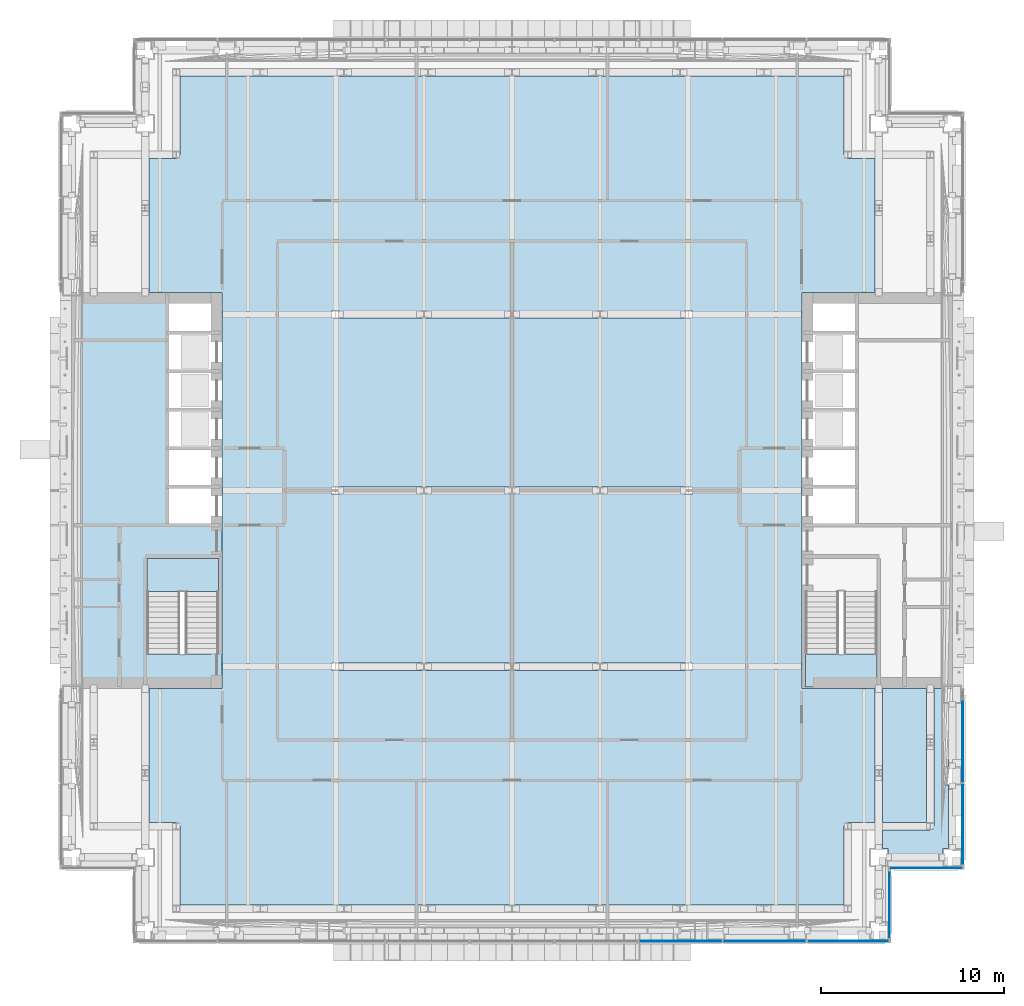
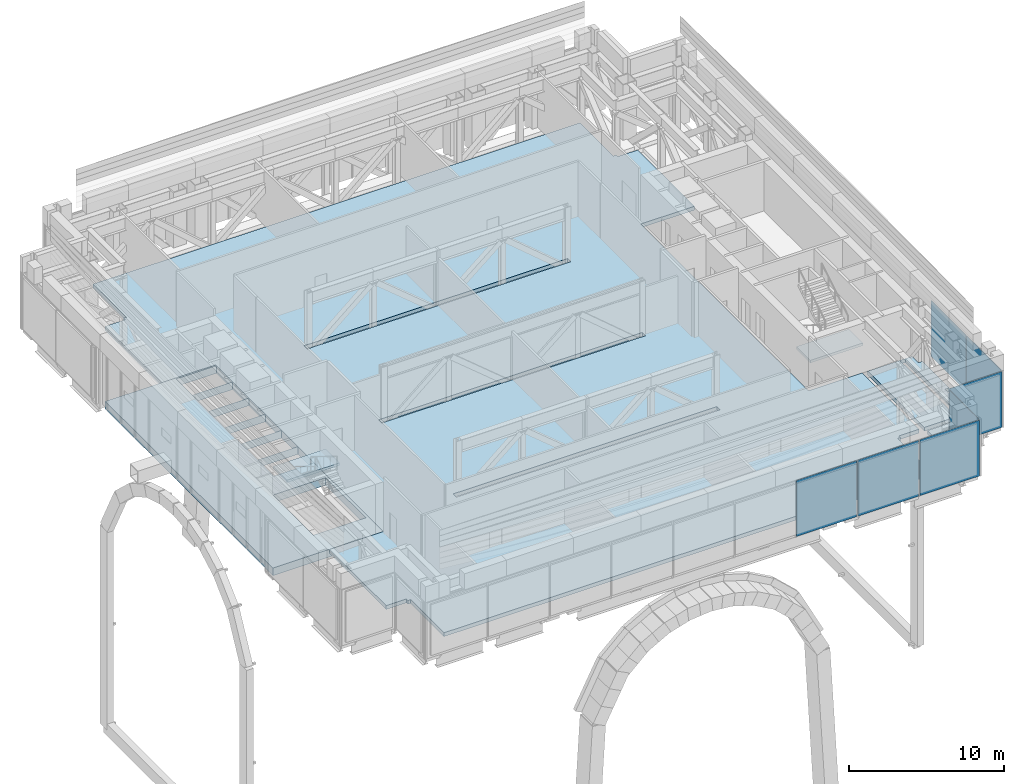
# One storey, part 13 of 39: 7 plates, 5 slabs, 6 elements without a shape of their own.
"""IFC4 building model written with IfcOpenShell, lengths in metres."""

from ifc_helpers import new_model, si_unit, direction, frame, origin, origin_2d, place, context, subcontext, project, spatial, polyline, rectangle, outline, extrude, material, layer, layer_set, type_object, element, aggregate, save


model = new_model("IFC4")

# Units and contexts
model_context = context("Model", 3, precision=1e-05, world=origin(), true_north=direction((0.0, 1.0)))
body_context = subcontext(model_context, "Body", "Model", "MODEL_VIEW")
ifc_project = project(units=[si_unit("LENGTHUNIT", "METRE"), si_unit("AREAUNIT", "SQUARE_METRE"), si_unit("VOLUMEUNIT", "CUBIC_METRE"), si_unit("PLANEANGLEUNIT", "RADIAN"), si_unit("MASSUNIT", "GRAM", prefix="KILO")], contexts=[model_context])

# Site, building, storey
site_placement = place(None, origin())
site = spatial("IfcSite", under=ifc_project, at=site_placement, CompositionType="ELEMENT")
building_placement = place(site_placement, origin())
building = spatial("IfcBuilding", under=site, at=building_placement, Name="Cobrizo Arcos Hotel Tower", CompositionType="ELEMENT")
storey_placement = place(building_placement, frame((0.0, 0.0, 84.5)))
storey = spatial("IfcBuildingStorey", under=building, at=storey_placement, Name="L20", CompositionType="ELEMENT", Elevation=84.5)

# Curtain wall, plates
ifc_material_1 = material(Name="Aluminium 6063-T6 anodised bronze", Category="aluminium")
curtain_wall_type = type_object("IfcCurtainWallType", Name="CW-D plant louvre wall", PredefinedType="NOTDEFINED", material=ifc_material_1)
curtain_wall_1_placement = place(storey_placement, origin())
curtain_wall_1 = element("IfcCurtainWall", 1, at=curtain_wall_1_placement, inside=storey, type_object=curtain_wall_type, Name="CW-D L20 S face", PredefinedType="NOTDEFINED")
ifc_material_2 = material(Name="Aluminium composite panel pale metal", Category="aluminium")
ifc_layer_1 = layer(ifc_material_2, 0.06005859375)
ifc_layer_set_1 = layer_set([ifc_layer_1], Name="CW-D spandrel panel")
plate_type = type_object("IfcPlateType", Name="CW-D spandrel panel", PredefinedType="CURTAIN_PANEL", material=ifc_layer_set_1)
plate_1_placement = place(storey_placement, frame((9.177734375, -24.574951171875, 0.0), z_axis=(0.0, 0.0, 1.0), x_axis=(1.0, 0.0, 0.0)))
plate_1 = element("IfcPlate", 2, at=plate_1_placement, type_object=plate_type, Name="CW-D insulated panel 819", PredefinedType="CURTAIN_PANEL", context=body_context, shape_type="SweptSolid", body=[
    extrude(rectangle(XDim=4.48876953125, YDim=0.0400390625, at=origin_2d()), origin(), (0.0, 0.0, 1.0), 4.39990234375),
])
plate_2_placement = place(storey_placement, frame((13.7666015625, -24.574951171875, 0.0), z_axis=(0.0, 0.0, 1.0), x_axis=(1.0, 0.0, 0.0)))
plate_2 = element("IfcPlate", 3, at=plate_2_placement, type_object=plate_type, Name="CW-D insulated panel 820", PredefinedType="CURTAIN_PANEL", context=body_context, shape_type="SweptSolid", body=[
    extrude(rectangle(XDim=4.48876953125, YDim=0.0400390625, at=origin_2d()), origin(), (0.0, 0.0, 1.0), 4.39990234375),
])
plate_3_placement = place(storey_placement, frame((18.33056640625, -24.574951171875, 0.0), z_axis=(0.0, 0.0, 1.0), x_axis=(1.0, 0.0, 0.0)))
plate_3 = element("IfcPlate", 4, at=plate_3_placement, type_object=plate_type, Name="CW-D insulated panel 821", PredefinedType="CURTAIN_PANEL", context=body_context, shape_type="SweptSolid", body=[
    extrude(rectangle(XDim=4.43896484375, YDim=0.0400390625, at=origin_2d()), origin(), (0.0, 0.0, 1.0), 4.39990234375),
])
aggregate(curtain_wall_1, [plate_1, plate_2, plate_3])

# Curtain wall, plate
curtain_wall_2_placement = place(storey_placement, origin())
curtain_wall_2 = element("IfcCurtainWall", 5, at=curtain_wall_2_placement, inside=storey, type_object=curtain_wall_type, Name="CW-D L20 E face", PredefinedType="NOTDEFINED")
plate_4_placement = place(storey_placement, frame((20.574951171875, -22.574951171875, 0.0), z_axis=(0.0, 0.0, 1.0), x_axis=(0.0, 1.0, 0.0)))
plate_4 = element("IfcPlate", 6, at=plate_4_placement, type_object=plate_type, Name="CW-D insulated panel 822", PredefinedType="CURTAIN_PANEL", context=body_context, shape_type="SweptSolid", body=[
    extrude(rectangle(XDim=3.64990234375, YDim=0.0400390625, at=origin_2d()), origin(), (0.0, 0.0, 1.0), 4.39990234375),
])
aggregate(curtain_wall_2, [plate_4])

curtain_wall_3_placement = place(storey_placement, origin())
curtain_wall_3 = element("IfcCurtainWall", 7, at=curtain_wall_3_placement, inside=storey, type_object=curtain_wall_type, Name="CW-D L20 S face", PredefinedType="NOTDEFINED")
plate_5_placement = place(storey_placement, frame((22.574951171875, -20.574951171875, 0.0), z_axis=(0.0, 0.0, 1.0), x_axis=(1.0, 0.0, 0.0)))
plate_5 = element("IfcPlate", 8, at=plate_5_placement, type_object=plate_type, Name="CW-D insulated panel 823", PredefinedType="CURTAIN_PANEL", context=body_context, shape_type="SweptSolid", body=[
    extrude(rectangle(XDim=3.949951171875, YDim=0.0400390625, at=origin_2d()), origin(), (0.0, 0.0, 1.0), 4.39990234375),
])
aggregate(curtain_wall_3, [plate_5])

# Curtain wall, plates
curtain_wall_4_placement = place(storey_placement, origin())
curtain_wall_4 = element("IfcCurtainWall", 9, at=curtain_wall_4_placement, inside=storey, type_object=curtain_wall_type, Name="CW-D L20 E face", PredefinedType="NOTDEFINED")
plate_6_placement = place(storey_placement, frame((24.574951171875, -18.197265625, 0.0), z_axis=(0.0, 0.0, 1.0), x_axis=(0.0, 1.0, 0.0)))
plate_6 = element("IfcPlate", 10, at=plate_6_placement, type_object=plate_type, Name="CW-D insulated panel 824", PredefinedType="CURTAIN_PANEL", context=body_context, shape_type="SweptSolid", body=[
    extrude(rectangle(XDim=4.405517578125, YDim=0.0400390625, at=origin_2d()), origin(), (0.0, 0.0, 1.0), 4.39990234375),
])
plate_7_placement = place(storey_placement, frame((24.574951171875, -13.666748046875, 0.0), z_axis=(0.0, 0.0, 1.0), x_axis=(0.0, 1.0, 0.0)))
plate_7 = element("IfcPlate", 11, at=plate_7_placement, type_object=plate_type, Name="CW-D insulated panel 825", PredefinedType="CURTAIN_PANEL", context=body_context, shape_type="SweptSolid", body=[
    extrude(rectangle(XDim=4.45556640625, YDim=0.0400390625, at=origin_2d()), origin(), (0.0, 0.0, 1.0), 4.39990234375),
])
aggregate(curtain_wall_4, [plate_6, plate_7])

# Slabs
ifc_material_3 = material(Name="Concrete f'c 35 MPa", Category="concrete")
ifc_layer_2 = layer(ifc_material_3, 0.300048828125)
ifc_layer_set_2 = layer_set([ifc_layer_2], Name="Composite floor slab 300 f'c 35")
slab_type_1 = type_object("IfcSlabType", Name="Composite floor slab 300 f'c 35", PredefinedType="FLOOR", material=ifc_layer_set_2)
slab_1_placement = place(storey_placement, frame((0.0, 0.0, -0.300048828125)))
element("IfcSlab", 12, at=slab_1_placement, inside=storey, type_object=slab_type_1, Name="Floor slab S2, L20, no. 02", PredefinedType="FLOOR", context=body_context, shape_type="SweptSolid", body=[
    extrude(outline(polyline([(-18.099609375, 22.599609375), (18.099609375, 22.599609375), (18.099609375, 18.300048828125), (18.300048828125, 18.300048828125), (18.300048828125, 18.099609375), (19.799560546875, 18.099609375), (19.799560546875, 10.800048828125), (15.800048828125, 10.800048828125), (15.800048828125, -10.800048828125), (19.799560546875, -10.800048828125), (19.799560546875, -18.099609375), (18.300048828125, -18.099609375), (18.300048828125, -18.300048828125), (18.099609375, -18.300048828125), (18.099609375, -22.599609375), (-18.099609375, -22.599609375), (-18.099609375, -18.300048828125), (-18.300048828125, -18.300048828125), (-18.300048828125, -18.099609375), (-19.799560546875, -18.099609375), (-19.799560546875, -10.800048828125), (-15.800048828125, -10.800048828125), (-15.800048828125, 10.800048828125), (-19.799560546875, 10.800048828125), (-19.799560546875, 18.099609375), (-18.300048828125, 18.099609375), (-18.300048828125, 18.300048828125), (-18.099609375, 18.300048828125), (-18.099609375, 22.599609375)]), holes=[polyline([(-9.804443359375, -9.804443359375), (-9.3955078125, -9.804443359375), (-9.3955078125, -9.800537109375), (9.3955078125, -9.800537109375), (9.3955078125, -9.804443359375), (9.804443359375, -9.804443359375), (9.804443359375, -9.3955078125), (9.3955078125, -9.3955078125), (9.3955078125, -9.3994140625), (-9.3955078125, -9.3994140625), (-9.3955078125, -9.3955078125), (-9.804443359375, -9.3955078125), (-9.804443359375, -9.804443359375)]), polyline([(-9.804443359375, 0.204345703125), (-9.804443359375, -0.204345703125), (-9.3955078125, -0.204345703125), (-9.3955078125, -0.200439453125), (9.3955078125, -0.200439453125), (9.3955078125, -0.204345703125), (9.804443359375, -0.204345703125), (9.804443359375, 0.204345703125), (9.3955078125, 0.204345703125), (9.3955078125, 0.200439453125), (-9.3955078125, 0.200439453125), (-9.3955078125, 0.204345703125), (-9.804443359375, 0.204345703125)]), polyline([(-9.3955078125, 9.800537109375), (-9.3955078125, 9.804443359375), (-9.804443359375, 9.804443359375), (-9.804443359375, 9.3955078125), (-9.3955078125, 9.3955078125), (-9.3955078125, 9.3994140625), (9.3955078125, 9.3994140625), (9.3955078125, 9.3955078125), (9.804443359375, 9.3955078125), (9.804443359375, 9.804443359375), (9.3955078125, 9.804443359375), (9.3955078125, 9.800537109375), (-9.3955078125, 9.800537109375)])]), origin(), (0.0, 0.0, 1.0), 0.300048828125),
])
slab_2_placement = place(storey_placement, frame((0.0, 0.0, -0.300048828125)))
element("IfcSlab", 13, at=slab_2_placement, inside=storey, type_object=slab_type_1, Name="Floor slab S2, L20, no. 06", PredefinedType="FLOOR", context=body_context, shape_type="SweptSolid", body=[
    extrude(outline(polyline([(20.5, -19.5), (20.200439453125, -19.5), (20.200439453125, -18.50048828125), (22.800048828125, -18.50048828125), (22.800048828125, -18.300048828125), (23.00048828125, -18.300048828125), (23.00048828125, -10.801025390625), (22.599609375, -10.801025390625), (22.599609375, -18.099609375), (20.200439453125, -18.099609375), (20.200439453125, -10.800048828125), (23.5, -10.800048828125), (23.5, -11.611083984375), (23.799560546875, -11.611083984375), (23.799560546875, -15.055908203125), (23.5, -15.055908203125), (23.5, -16.055908203125), (23.799560546875, -16.055908203125), (23.799560546875, -19.5), (23.5, -19.5), (23.5, -19.799560546875), (20.5, -19.799560546875), (20.5, -19.5)])), origin(), (0.0, 0.0, 1.0), 0.300048828125),
])
ifc_material_4 = material(Name="Concrete f'c 60 MPa", Category="concrete")
ifc_layer_3 = layer(ifc_material_4, 0.60009765625)
ifc_layer_set_3 = layer_set([ifc_layer_3], Name="RC core floor slab 600 f'c 60")
slab_type_2 = type_object("IfcSlabType", Name="RC core floor slab 600 f'c 60", PredefinedType="FLOOR", material=ifc_layer_set_3)
slab_3_placement = place(storey_placement, frame((0.0, 0.0, -0.60009765625)))
element("IfcSlab", 14, at=slab_3_placement, inside=storey, type_object=slab_type_2, Name="Core floor slab CS1, west core, L20", PredefinedType="FLOOR", context=body_context, shape_type="SweptSolid", body=[
    extrude(outline(polyline([(-24.0, 10.800048828125), (-15.800048828125, 10.800048828125), (-15.800048828125, -10.800048828125), (-24.0, -10.800048828125), (-24.0, 10.800048828125)]), holes=[polyline([(-19.89794921875, -3.701904296875), (-19.89794921875, -8.89794921875), (-16.001953125, -8.89794921875), (-16.001953125, -3.701904296875), (-19.89794921875, -3.701904296875)]), polyline([(-18.798095703125, 0.197998046875), (-18.798095703125, -1.89794921875), (-15.802001953125, -1.89794921875), (-15.802001953125, 0.197998046875), (-18.798095703125, 0.197998046875)]), polyline([(-15.802001953125, 2.298095703125), (-18.798095703125, 2.298095703125), (-18.798095703125, 0.201904296875), (-15.802001953125, 0.201904296875), (-15.802001953125, 2.298095703125)]), polyline([(-15.802001953125, 4.39794921875), (-18.798095703125, 4.39794921875), (-18.798095703125, 2.302001953125), (-15.802001953125, 2.302001953125), (-15.802001953125, 4.39794921875)]), polyline([(-18.798095703125, 6.498046875), (-18.798095703125, 4.402099609375), (-15.802001953125, 4.402099609375), (-15.802001953125, 6.498046875), (-18.798095703125, 6.498046875)]), polyline([(-15.802001953125, 8.597900390625), (-18.798095703125, 8.597900390625), (-18.798095703125, 6.501953125), (-15.802001953125, 6.501953125), (-15.802001953125, 8.597900390625)]), polyline([(-15.802001953125, 10.697998046875), (-18.798095703125, 10.697998046875), (-18.798095703125, 8.60205078125), (-15.802001953125, 8.60205078125), (-15.802001953125, 10.697998046875)])]), origin(), (0.0, 0.0, 1.0), 0.60009765625),
])

# Stair, slab
ifc_material_5 = material(Name="Concrete f'c 40 MPa", Category="concrete")
stair_type = type_object("IfcStairType", Name="Exit stair", PredefinedType="HALF_TURN_STAIR", material=ifc_material_5)
stair_1_placement = place(storey_placement, origin())
stair_1 = element("IfcStair", 15, at=stair_1_placement, inside=storey, type_object=stair_type, Name="L20 Exit stair ST-W", PredefinedType="HALF_TURN_STAIR")
ifc_layer_4 = layer(ifc_material_5, 0.199951171875)
ifc_layer_set_4 = layer_set([ifc_layer_4], Name="Stair landing")
slab_type_3 = type_object("IfcSlabType", Name="Stair landing", PredefinedType="LANDING", material=ifc_layer_set_4)
slab_4_placement = place(storey_placement, frame((0.0, 0.0, 2.050048828125)))
slab_4 = element("IfcSlab", 16, at=slab_4_placement, type_object=slab_type_3, Name="ST-W landing 1", PredefinedType="LANDING", context=body_context, shape_type="SweptSolid", body=[
    extrude(outline(polyline([(-16.0, -5.5), (-16.0, -3.699951171875), (-19.89990234375, -3.699951171875), (-19.89990234375, -5.5), (-16.0, -5.5)])), origin(), (0.0, 0.0, 1.0), 0.199951171875),
])
aggregate(stair_1, [slab_4])

stair_2_placement = place(storey_placement, origin())
stair_2 = element("IfcStair", 17, at=stair_2_placement, inside=storey, type_object=stair_type, Name="L20 Exit stair ST-E", PredefinedType="HALF_TURN_STAIR")
slab_5_placement = place(storey_placement, frame((0.0, 0.0, 2.050048828125)))
slab_5 = element("IfcSlab", 18, at=slab_5_placement, type_object=slab_type_3, Name="ST-E landing 1", PredefinedType="LANDING", context=body_context, shape_type="SweptSolid", body=[
    extrude(outline(polyline([(16.0, -8.89990234375), (16.0, -10.699951171875), (19.89990234375, -10.699951171875), (19.89990234375, -8.89990234375), (16.0, -8.89990234375)])), origin(), (0.0, 0.0, 1.0), 0.199951171875),
])
aggregate(stair_2, [slab_5])

save(model, "model.ifc")
